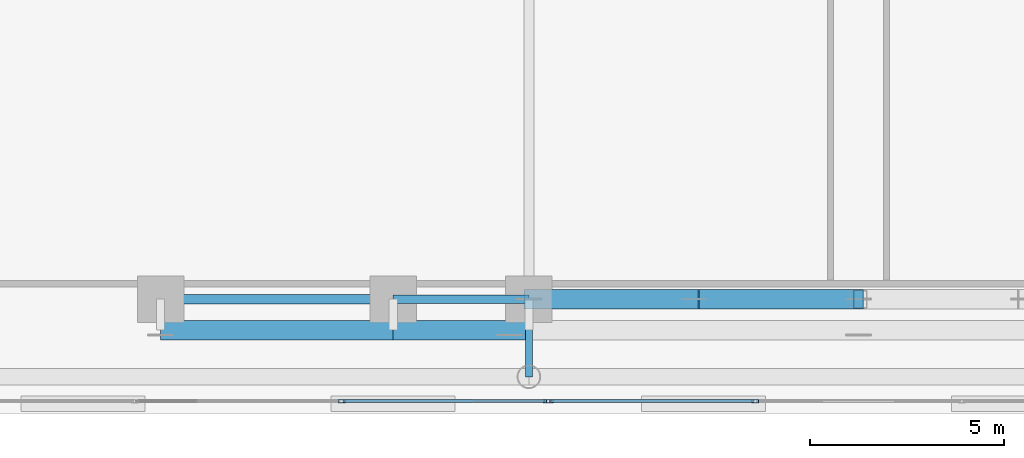
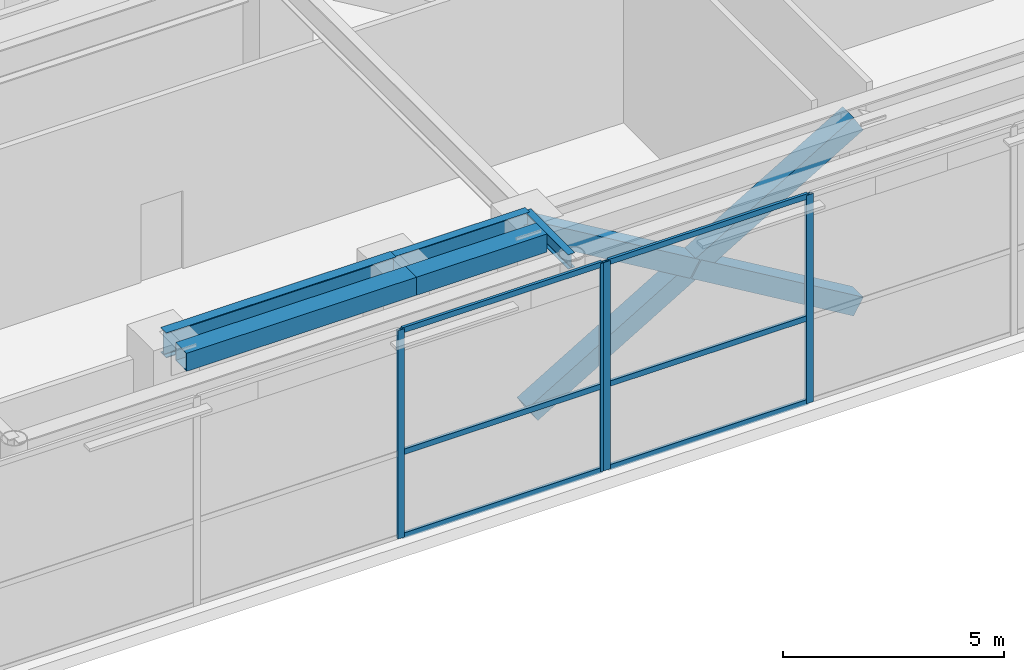
# One storey, part 5 of 29: 13 members, 5 beams, 2 elements without a shape of their own.
"""IFC4 building model written with IfcOpenShell, lengths in metres."""

from ifc_helpers import new_model, si_unit, direction, frame, origin, origin_2d, place, context, subcontext, project, spatial, hollow_rectangle, i_section, extrude, source, transform, mapped, material, layer, layer_set, material_profile, profile_set, type_object, element, aggregate, save


model = new_model("IFC4")

# Units and contexts
model_context = context("Model", 3, precision=1e-05, world=origin(), true_north=direction((0.0, 1.0)))
body_context = subcontext(model_context, "Body", "Model", "MODEL_VIEW")
ifc_project = project(units=[si_unit("LENGTHUNIT", "METRE"), si_unit("AREAUNIT", "SQUARE_METRE"), si_unit("VOLUMEUNIT", "CUBIC_METRE"), si_unit("PLANEANGLEUNIT", "RADIAN"), si_unit("MASSUNIT", "GRAM", prefix="KILO")], contexts=[model_context])

# Site, building, storey
site_placement = place(None, origin())
site = spatial("IfcSite", under=ifc_project, at=site_placement, CompositionType="ELEMENT")
building_placement = place(site_placement, origin())
building = spatial("IfcBuilding", under=site, at=building_placement, Name="Ocotamira Hotel", CompositionType="ELEMENT")
storey_placement = place(building_placement, frame((0.0, 0.0, 28.800048828125)))
storey = spatial("IfcBuildingStorey", under=building, at=storey_placement, Name="L06", CompositionType="ELEMENT", Elevation=28.800048828125)

# Beams
ifc_material_1 = material(Name="Steel ASTM A992 Grade 50", Category="steel")
ifc_material_profile_1 = material_profile(ifc_material_1, i_section(OverallWidth=0.256103515625, OverallDepth=0.693115234375, WebThickness=0.014404296875, FlangeThickness=0.023681640625, FilletRadius=0.01611328125, at=origin_2d()), Name="W27X114")
ifc_profile_set_1 = profile_set([ifc_material_profile_1], Name="Steel ASTM A992 Grade 50")
beam_type_1 = type_object("IfcBeamType", Name="BM-PRIM-W27X114", PredefinedType="BEAM", material=ifc_profile_set_1)
shared_shape_1 = source(origin(), body_context, "Body", "SweptSolid", [
    extrude(i_section(OverallWidth=0.256103515625, OverallDepth=0.693115234375, WebThickness=0.014404296875, FlangeThickness=0.023681640625, FilletRadius=0.01611328125, at=origin_2d()), origin(), (0.0, 0.0, 1.0), 6.0),
])
beam_1_placement = place(storey_placement, frame((14.0, 2.949951171875, 5.403564453125), z_axis=(1.0, 0.0, 0.0), x_axis=(0.0, 1.0, 0.0)))
element("IfcBeam", 1, at=beam_1_placement, inside=storey, type_object=beam_type_1, Name="L06 Girder Y2.95 X14-20", PredefinedType="BEAM", context=body_context, shape_type="MappedRepresentation", body=[
    mapped(shared_shape_1, transform((0.0, 0.0, 0.0), scale=1.0)),
])
ifc_material_profile_2 = material_profile(ifc_material_1, i_section(OverallWidth=0.2099609375, OverallDepth=0.537109375, WebThickness=0.010986328125, FlangeThickness=0.017333984375, FilletRadius=0.012939453125, at=origin_2d()), Name="W21X68")
ifc_profile_set_2 = profile_set([ifc_material_profile_2], Name="Steel ASTM A992 Grade 50")
beam_type_2 = type_object("IfcBeamType", Name="BM-SEC-W21X68", PredefinedType="JOIST", material=ifc_profile_set_2)
shared_shape_2 = source(origin(), body_context, "Body", "SweptSolid", [
    extrude(i_section(OverallWidth=0.2099609375, OverallDepth=0.537109375, WebThickness=0.010986328125, FlangeThickness=0.017333984375, FilletRadius=0.012939453125, at=origin_2d()), origin(), (0.0, 0.0, 1.0), 3.5),
])
beam_2_placement = place(storey_placement, frame((20.0, 2.949951171875, 5.4814453125), z_axis=(1.0, 0.0, 0.0), x_axis=(0.0, 1.0, 0.0)))
element("IfcBeam", 2, at=beam_2_placement, inside=storey, type_object=beam_type_2, Name="L06 Girder Y2.95 X20-23.5", PredefinedType="JOIST", context=body_context, shape_type="MappedRepresentation", body=[
    mapped(shared_shape_2, transform((0.0, 0.0, 0.0), scale=1.0)),
])
ifc_material_profile_3 = material_profile(ifc_material_1, i_section(OverallWidth=0.177978515625, OverallDepth=0.403076171875, WebThickness=0.007568359375, FlangeThickness=0.010986328125, FilletRadius=0.010009765625, at=origin_2d()), Name="W16X36")
ifc_profile_set_3 = profile_set([ifc_material_profile_3], Name="Steel ASTM A992 Grade 50")
beam_type_3 = type_object("IfcBeamType", Name="BM-SEC-W16X36", PredefinedType="JOIST", material=ifc_profile_set_3)
shared_shape_3 = source(origin(), body_context, "Body", "SweptSolid", [
    extrude(i_section(OverallWidth=0.177978515625, OverallDepth=0.403076171875, WebThickness=0.007568359375, FlangeThickness=0.010986328125, FilletRadius=0.010009765625, at=origin_2d()), origin(), (0.0, 0.0, 1.0), 2.0),
])
beam_3_placement = place(storey_placement, frame((23.5, 0.949951171875, 5.54833984375), z_axis=(0.0, 1.0, 0.0), x_axis=(-1.0, 0.0, 0.0)))
element("IfcBeam", 3, at=beam_3_placement, inside=storey, type_object=beam_type_3, Name="L06 Beam X23.5 Y0.95-2.95", PredefinedType="JOIST", context=body_context, shape_type="MappedRepresentation", body=[
    mapped(shared_shape_3, transform((0.0, 0.0, 0.0), scale=1.0)),
])
ifc_material_2 = material(Name="Steel ASTM A500 Grade C", Category="steel")
ifc_material_profile_4 = material_profile(ifc_material_2, hollow_rectangle(XDim=0.5, YDim=0.5, WallThickness=0.02001953125, at=origin_2d()), Name="HSS500X500X20")
ifc_profile_set_4 = profile_set([ifc_material_profile_4], Name="Steel ASTM A500 Grade C")
beam_type_4 = type_object("IfcBeamType", Name="BM-SPAN-HSS500", PredefinedType="USERDEFINED", material=ifc_profile_set_4)
shared_shape_4 = source(origin(), body_context, "Body", "SweptSolid", [
    extrude(hollow_rectangle(XDim=0.5, YDim=0.5, WallThickness=0.02001953125, at=origin_2d()), origin(), (0.0, 0.0, 1.0), 6.0),
])
beam_4_placement = place(storey_placement, frame((14.0, 2.14990234375, 5.5), z_axis=(1.0, 0.0, 0.0), x_axis=(0.0, 1.0, 0.0)))
element("IfcBeam", 4, at=beam_4_placement, inside=storey, type_object=beam_type_4, Name="L06 Edge Spandrel S X14-20", ObjectType="SPANDREL", PredefinedType="USERDEFINED", context=body_context, shape_type="MappedRepresentation", body=[
    mapped(shared_shape_4, transform((0.0, 0.0, 0.0), scale=1.0)),
])
shared_shape_5 = source(origin(), body_context, "Body", "SweptSolid", [
    extrude(hollow_rectangle(XDim=0.5, YDim=0.5, WallThickness=0.02001953125, at=origin_2d()), origin(), (0.0, 0.0, 1.0), 3.410888671875),
])
beam_5_placement = place(storey_placement, frame((20.0, 2.14990234375, 5.5), z_axis=(1.0, 0.0, 0.0), x_axis=(0.0, 1.0, 0.0)))
element("IfcBeam", 5, at=beam_5_placement, inside=storey, type_object=beam_type_4, Name="L06 Edge Spandrel S X20-23.411", ObjectType="SPANDREL", PredefinedType="USERDEFINED", context=body_context, shape_type="MappedRepresentation", body=[
    mapped(shared_shape_5, transform((0.0, 0.0, 0.0), scale=1.0)),
])

# Members
ifc_material_3 = material(Name="Steel ASTM A913 Grade 65", Category="steel")
ifc_material_profile_5 = material_profile(ifc_material_3, hollow_rectangle(XDim=0.5, YDim=0.5, WallThickness=0.02001953125, at=origin_2d()), Name="HSS500X500X20")
ifc_profile_set_5 = profile_set([ifc_material_profile_5], Name="Steel ASTM A913 Grade 65")
member_type_1 = type_object("IfcMemberType", Name="MEM-OUT-HSS500", PredefinedType="BRACE", material=ifc_profile_set_5)
shared_shape_6 = source(origin(), body_context, "Body", "SweptSolid", [
    extrude(hollow_rectangle(XDim=0.5, YDim=0.5, WallThickness=0.02001953125, at=origin_2d()), origin(), (0.0, 0.0, 1.0), 9.886962890625),
])
member_1_placement = place(storey_placement, frame((23.5, 2.949951171875, 0.25), z_axis=(0.859713791233, 0.0, 0.510776073405), x_axis=(0.0, 1.0, 0.0)))
element("IfcMember", 6, at=member_1_placement, inside=storey, type_object=member_type_1, Name="L06 Portal Transfer Truss Diagonal Y2.95-1", PredefinedType="BRACE", context=body_context, shape_type="MappedRepresentation", body=[
    mapped(shared_shape_6, transform((0.0, 0.0, 0.0), scale=1.0)),
])
shared_shape_7 = source(origin(), body_context, "Body", "SweptSolid", [
    extrude(hollow_rectangle(XDim=0.5, YDim=0.5, WallThickness=0.02001953125, at=origin_2d()), origin(), (0.0, 0.0, 1.0), 4.923583984375),
])
for number, where, z_axis, x_axis, name in (
    (7, (23.5, 2.949951171875, 5.300048828125), (0.859711861236, 0.0, -0.51077932187), (0.0, 1.0, 0.0), "L06 Portal Transfer Truss Diagonal Y2.95-3 Lower Half"),
    (8, (27.76708984375, 2.949951171875, 2.7646484375), (0.859733635103, 0.0, -0.510742671678), (0.0, 1.0, 0.0), "L06 Portal Transfer Truss Diagonal Y2.95-3 Upper Half"),
):
    element("IfcMember", number, at=place(storey_placement, frame(where, z_axis=z_axis, x_axis=x_axis)), inside=storey, type_object=member_type_1, Name=name, PredefinedType="BRACE", context=body_context, shape_type="MappedRepresentation", body=[
        mapped(shared_shape_7, transform((0.0, 0.0, 0.0), scale=1.0)),
    ])

# Curtain wall, members
ifc_material_4 = material(Name="Anodised pale-metal aluminium and solar glass", Category="aluminium")
ifc_layer = layer(ifc_material_4, 0.239990234375)
ifc_layer_set = layer_set([ifc_layer], Name="Anodised pale-metal aluminium and solar glass")
curtain_wall_type = type_object("IfcCurtainWallType", Name="CW-SYS5-SKY", PredefinedType="NOTDEFINED", material=ifc_layer_set)
curtain_wall_1_placement = place(storey_placement, origin())
curtain_wall_1 = element("IfcCurtainWall", 9, at=curtain_wall_1_placement, inside=storey, type_object=curtain_wall_type, Name="L06 Curtain Wall CW-5 CW-L06-S1", PredefinedType="NOTDEFINED")
ifc_material_5 = material(Name="Anodised pale-metal aluminium 6063-T6", Category="aluminium")
ifc_material_profile_6 = material_profile(ifc_material_5, hollow_rectangle(XDim=0.074951171875, YDim=0.14990234375, WallThickness=0.006103515625, at=origin_2d()), Name="HSS150X75X6")
ifc_profile_set_6 = profile_set([ifc_material_profile_6], Name="Anodised pale-metal aluminium 6063-T6")
member_type_2 = type_object("IfcMemberType", Name="CWT-150X75", PredefinedType="USERDEFINED", material=ifc_profile_set_6)
shared_shape_8 = source(origin(), body_context, "Body", "SweptSolid", [
    extrude(hollow_rectangle(XDim=0.074951171875, YDim=0.14990234375, WallThickness=0.006103515625, at=origin_2d()), origin(), (0.0, 0.0, 1.0), 5.213134765625),
])
member_2_placement = place(storey_placement, frame((18.706787109375, 0.320068359375, 0.037353515625), z_axis=(1.0, 0.0, 0.0), x_axis=(0.0, 1.0, 0.0)))
member_2 = element("IfcMember", 10, at=member_2_placement, type_object=member_type_2, Name="CW-5 transom 3.1", ObjectType="TRANSOM", PredefinedType="USERDEFINED", context=body_context, shape_type="MappedRepresentation", body=[
    mapped(shared_shape_8, transform((0.0, 0.0, 0.0), scale=1.0)),
])
member_3_placement = place(storey_placement, frame((18.706787109375, 0.320068359375, 2.349853515625), z_axis=(1.0, 0.0, 0.0), x_axis=(0.0, 1.0, 0.0)))
member_3 = element("IfcMember", 11, at=member_3_placement, type_object=member_type_2, Name="CW-5 transom 3.2", ObjectType="TRANSOM", PredefinedType="USERDEFINED", context=body_context, shape_type="MappedRepresentation", body=[
    mapped(shared_shape_8, transform((0.0, 0.0, 0.0), scale=1.0)),
])
member_4_placement = place(storey_placement, frame((18.706787109375, 0.320068359375, 5.71240234375), z_axis=(1.0, 0.0, 0.0), x_axis=(0.0, 1.0, 0.0)))
member_4 = element("IfcMember", 12, at=member_4_placement, type_object=member_type_2, Name="CW-5 transom 3.3", ObjectType="TRANSOM", PredefinedType="USERDEFINED", context=body_context, shape_type="MappedRepresentation", body=[
    mapped(shared_shape_8, transform((0.0, 0.0, 0.0), scale=1.0)),
])

curtain_wall_2_placement = place(storey_placement, origin())
curtain_wall_2 = element("IfcCurtainWall", 13, at=curtain_wall_2_placement, inside=storey, type_object=curtain_wall_type, Name="L06 Curtain Wall CW-5 CW-L06-S2", PredefinedType="NOTDEFINED")
member_5_placement = place(storey_placement, frame((24.080078125, 0.320068359375, 0.037353515625), z_axis=(1.0, 0.0, 0.0), x_axis=(0.0, 1.0, 0.0)))
member_5 = element("IfcMember", 14, at=member_5_placement, type_object=member_type_2, Name="CW-5 transom 1.1", ObjectType="TRANSOM", PredefinedType="USERDEFINED", context=body_context, shape_type="MappedRepresentation", body=[
    mapped(shared_shape_8, transform((0.0, 0.0, 0.0), scale=1.0)),
])
member_6_placement = place(storey_placement, frame((24.080078125, 0.320068359375, 2.349853515625), z_axis=(1.0, 0.0, 0.0), x_axis=(0.0, 1.0, 0.0)))
member_6 = element("IfcMember", 15, at=member_6_placement, type_object=member_type_2, Name="CW-5 transom 1.2", ObjectType="TRANSOM", PredefinedType="USERDEFINED", context=body_context, shape_type="MappedRepresentation", body=[
    mapped(shared_shape_8, transform((0.0, 0.0, 0.0), scale=1.0)),
])
member_7_placement = place(storey_placement, frame((24.080078125, 0.320068359375, 5.71240234375), z_axis=(1.0, 0.0, 0.0), x_axis=(0.0, 1.0, 0.0)))
member_7 = element("IfcMember", 16, at=member_7_placement, type_object=member_type_2, Name="CW-5 transom 1.3", ObjectType="TRANSOM", PredefinedType="USERDEFINED", context=body_context, shape_type="MappedRepresentation", body=[
    mapped(shared_shape_8, transform((0.0, 0.0, 0.0), scale=1.0)),
])

# Member
ifc_material_profile_7 = material_profile(ifc_material_5, hollow_rectangle(XDim=0.080078125, YDim=0.179931640625, WallThickness=0.006103515625, at=origin_2d()), Name="HSS180X80X6")
ifc_profile_set_7 = profile_set([ifc_material_profile_7], Name="Anodised pale-metal aluminium 6063-T6")
member_type_3 = type_object("IfcMemberType", Name="CWM-180X75", PredefinedType="MULLION", material=ifc_profile_set_7)
shared_shape_9 = source(origin(), body_context, "Body", "SweptSolid", [
    extrude(hollow_rectangle(XDim=0.080078125, YDim=0.179931640625, WallThickness=0.006103515625, at=origin_2d()), origin(), (0.0, 0.0, 1.0), 5.75),
])
member_8_placement = place(storey_placement, frame((18.666748046875, 0.320068359375, 0.0), z_axis=(0.0, 0.0, 1.0), x_axis=(0.0, 1.0, 0.0)))
member_8 = element("IfcMember", 17, at=member_8_placement, type_object=member_type_3, Name="CW-5 mullion 3", PredefinedType="MULLION", context=body_context, shape_type="MappedRepresentation", body=[
    mapped(shared_shape_9, transform((0.0, 0.0, 0.0), scale=1.0)),
])

member_9_placement = place(storey_placement, frame((23.9599609375, 0.320068359375, 0.0), z_axis=(0.0, 0.0, 1.0), x_axis=(0.0, 1.0, 0.0)))
member_9 = element("IfcMember", 18, at=member_9_placement, type_object=member_type_3, Name="CW-5 mullion 4", PredefinedType="MULLION", context=body_context, shape_type="MappedRepresentation", body=[
    mapped(shared_shape_9, transform((0.0, 0.0, 0.0), scale=1.0)),
])

aggregate(curtain_wall_1, [member_8, member_9, member_2, member_3, member_4])

member_10_placement = place(storey_placement, frame((24.0400390625, 0.320068359375, 0.0), z_axis=(0.0, 0.0, 1.0), x_axis=(0.0, 1.0, 0.0)))
member_10 = element("IfcMember", 19, at=member_10_placement, type_object=member_type_3, Name="CW-5 mullion 1", PredefinedType="MULLION", context=body_context, shape_type="MappedRepresentation", body=[
    mapped(shared_shape_9, transform((0.0, 0.0, 0.0), scale=1.0)),
])

member_11_placement = place(storey_placement, frame((29.333251953125, 0.320068359375, 0.0), z_axis=(0.0, 0.0, 1.0), x_axis=(0.0, 1.0, 0.0)))
member_11 = element("IfcMember", 20, at=member_11_placement, type_object=member_type_3, Name="CW-5 mullion 2", PredefinedType="MULLION", context=body_context, shape_type="MappedRepresentation", body=[
    mapped(shared_shape_9, transform((0.0, 0.0, 0.0), scale=1.0)),
])

aggregate(curtain_wall_2, [member_10, member_11, member_5, member_6, member_7])

save(model, "model.ifc")
